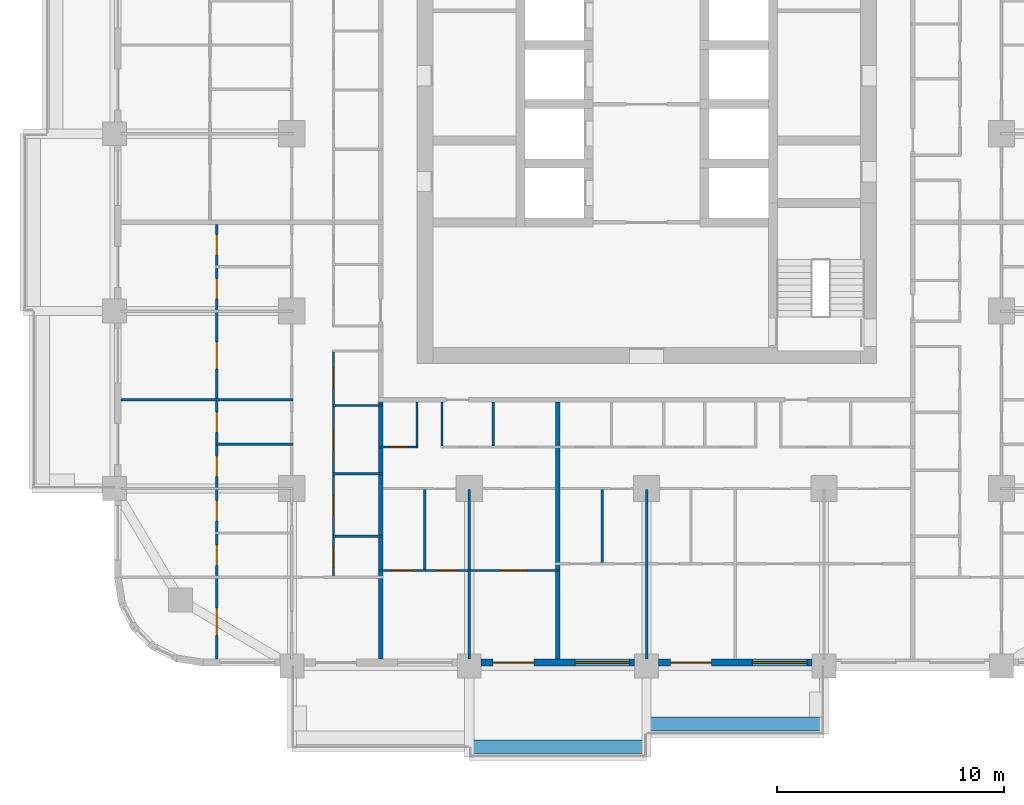
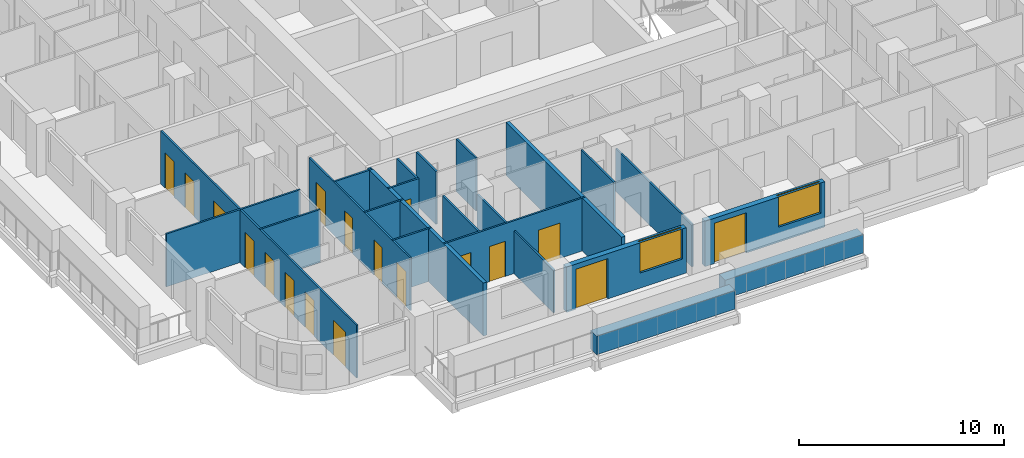
# One storey, part 3 of 17: 22 walls, 18 doors, 2 windows, 20 openings.
"""IFC4 building model written with IfcOpenShell, lengths in metres."""

from ifc_helpers import new_model, si_unit, direction, frame, frame_2d, origin, place, context, subcontext, project, spatial, rectangle, extrude, material, layer, layer_set, type_object, element, fill, save


model = new_model("IFC4")

# Units and contexts
model_context = context("Model", 3, precision=1e-05, world=origin(), true_north=direction((0.0, 1.0)))
body_context = subcontext(model_context, "Body", "Model", "MODEL_VIEW")
ifc_project = project(units=[si_unit("LENGTHUNIT", "METRE"), si_unit("AREAUNIT", "SQUARE_METRE"), si_unit("VOLUMEUNIT", "CUBIC_METRE"), si_unit("PLANEANGLEUNIT", "RADIAN"), si_unit("MASSUNIT", "GRAM", prefix="KILO")], contexts=[model_context])

# Site, building, storey
site_placement = place(None, origin())
site = spatial("IfcSite", under=ifc_project, at=site_placement, CompositionType="ELEMENT")
building_placement = place(site_placement, origin())
building = spatial("IfcBuilding", under=site, at=building_placement, Name="Ludao Terraces", CompositionType="ELEMENT")
storey_placement = place(building_placement, frame((0.0, 0.0, 54.60009765625)))
storey = spatial("IfcBuildingStorey", under=building, at=storey_placement, Name="L14", CompositionType="ELEMENT", Elevation=54.60009765625)

# Walls
ifc_material_1 = material(Name="Concrete C40", Category="concrete")
ifc_layer_1 = layer(ifc_material_1, 0.60009765625)
ifc_layer_set_1 = layer_set([ifc_layer_1], Name="ENV Planter trough 600")
wall_type_1 = type_object("IfcWallType", Name="ENV Planter trough 600", PredefinedType="USERDEFINED", material=ifc_layer_set_1)
for number, where, z_axis, x_axis, name in (
    (1, (77.199951171875, 38.050048828125, 0.0), (0.0, 0.0, 1.0), (1.0, 0.0, 0.0), "PL-L14-S2"),
    (2, (85.0, 39.050048828125, 0.0), (0.0, 0.0, 1.0), (1.0, 0.0, 0.0), "PL-L14-S3"),
):
    element("IfcWall", number, at=place(storey_placement, frame(where, z_axis=z_axis, x_axis=x_axis)), inside=storey, type_object=wall_type_1, Name=name, ObjectType="PLANTER", PredefinedType="USERDEFINED", context=body_context, shape_type="SweptSolid", body=[
        extrude(rectangle(XDim=7.800048828125, YDim=0.60009765625, at=frame_2d((3.89990234375, 0.0))), origin(), (0.0, 0.0, 1.0), 1.099853515625),
    ])

# Wall, openings, door, window
ifc_material_2 = material(Name="Granite cladding", Category="masonry")
ifc_layer_2 = layer(ifc_material_2, 0.0400390625, Category="stone")
ifc_material_3 = material(Name="Mineral wool")
ifc_layer_3 = layer(ifc_material_3, 0.06005859375)
ifc_layer_4 = layer(ifc_material_1, 0.199951171875, Category="concrete")
ifc_layer_set_2 = layer_set([ifc_layer_2, ifc_layer_3, ifc_layer_4], Name="ENV Stone-clad wall 300")
wall_type_2 = type_object("IfcWallType", Name="ENV Stone-clad wall 300", PredefinedType="SOLIDWALL", material=ifc_layer_set_2)
wall_1_placement = place(storey_placement, frame((77.72509765625, 41.75, 0.0), z_axis=(0.0, 0.0, 1.0), x_axis=(1.0, 0.0, 0.0)))
wall_1 = element("IfcWall", 3, at=wall_1_placement, inside=storey, type_object=wall_type_2, Name="EW-L14-S3", PredefinedType="SOLIDWALL", context=body_context, shape_type="SweptSolid", body=[
    extrude(rectangle(XDim=6.75, YDim=0.300048828125, at=frame_2d((3.375, 0.0))), origin(), (0.0, 0.0, 1.0), 2.699951171875),
])
opening_1_placement = place(wall_1_placement, frame((0.52490234375, 0.0, 0.0)))
opening_1 = element("IfcOpeningElement", 4, at=opening_1_placement, cuts=wall_1, Name="Opening BD", PredefinedType="OPENING", context=body_context, shape_type="SweptSolid", body=[
    extrude(rectangle(XDim=1.800048828125, YDim=2.39990234375, at=frame_2d((0.89990234375, 1.199951171875))), frame((0.0, 0.16015625, 0.0), z_axis=(0.0, -1.0, 0.0), x_axis=(1.0, 0.0, 0.0)), (0.0, 0.0, 1.0), 0.320068359375),
])
opening_2_placement = place(wall_1_placement, frame((4.125, 0.0, 0.89990234375)))
opening_2 = element("IfcOpeningElement", 5, at=opening_2_placement, cuts=wall_1, Name="Opening W1", PredefinedType="OPENING", context=body_context, shape_type="SweptSolid", body=[
    extrude(rectangle(XDim=2.39990234375, YDim=1.800048828125, at=frame_2d((1.199951171875, 0.89990234375))), frame((0.0, 0.16015625, 0.0), z_axis=(0.0, -1.0, 0.0), x_axis=(1.0, 0.0, 0.0)), (0.0, 0.0, 1.0), 0.320068359375),
])
ifc_material_4 = material(Name="Aluminium glazed door", Category="aluminium")
ifc_layer_5 = layer(ifc_material_4, 0.06005859375)
ifc_layer_set_3 = layer_set([ifc_layer_5], Name="ENV Balcony door BD 1800x2400")
door_type_1 = type_object("IfcDoorType", Name="ENV Balcony door BD 1800x2400", OperationType="DOUBLE_DOOR_SINGLE_SWING", PredefinedType="DOOR", material=ifc_layer_set_3)
door_1_placement = place(opening_1_placement, origin())
door_1 = element("IfcDoor", 6, at=door_1_placement, inside=storey, type_object=door_type_1, Name="BD-L14-S3-1", OperationType="DOUBLE_DOOR_SINGLE_SWING", OverallHeight=2.39990234375, OverallWidth=1.800048828125, PredefinedType="DOOR", context=body_context, shape_type="SweptSolid", body=[
    extrude(rectangle(XDim=1.800048828125, YDim=2.39990234375, at=frame_2d((0.89990234375, 1.199951171875))), frame((0.0, 0.02490234375, 0.0), z_axis=(0.0, -1.0, 0.0), x_axis=(1.0, 0.0, 0.0)), (0.0, 0.0, 1.0), 0.050048828125),
])
fill(opening_1, door_1)
ifc_material_5 = material(Name="Clear glass in aluminium frame", Category="aluminium")
ifc_layer_6 = layer(ifc_material_5, 0.06005859375)
ifc_layer_set_4 = layer_set([ifc_layer_6], Name="ENV Window W1 2400x1800")
window_type = type_object("IfcWindowType", Name="ENV Window W1 2400x1800", PartitioningType="DOUBLE_PANEL_VERTICAL", PredefinedType="WINDOW", material=ifc_layer_set_4)
window_1_placement = place(opening_2_placement, origin())
window_1 = element("IfcWindow", 7, at=window_1_placement, inside=storey, type_object=window_type, Name="W-L14-S3-2", OverallHeight=1.800048828125, OverallWidth=2.39990234375, PartitioningType="DOUBLE_PANEL_VERTICAL", PredefinedType="WINDOW", context=body_context, shape_type="SweptSolid", body=[
    extrude(rectangle(XDim=2.39990234375, YDim=1.800048828125, at=frame_2d((1.199951171875, 0.89990234375))), frame((0.0, 0.030029296875, 0.0), z_axis=(0.0, -1.0, 0.0), x_axis=(1.0, 0.0, 0.0)), (0.0, 0.0, 1.0), 0.06005859375),
])
fill(opening_2, window_1)

wall_2_placement = place(storey_placement, frame((85.52490234375, 41.75, 0.0), z_axis=(0.0, 0.0, 1.0), x_axis=(1.0, 0.0, 0.0)))
wall_2 = element("IfcWall", 8, at=wall_2_placement, inside=storey, type_object=wall_type_2, Name="EW-L14-S4", PredefinedType="SOLIDWALL", context=body_context, shape_type="SweptSolid", body=[
    extrude(rectangle(XDim=6.75, YDim=0.300048828125, at=frame_2d((3.375, 0.0))), origin(), (0.0, 0.0, 1.0), 2.699951171875),
])
opening_3_placement = place(wall_2_placement, frame((0.52490234375, 0.0, 0.0)))
opening_3 = element("IfcOpeningElement", 9, at=opening_3_placement, cuts=wall_2, Name="Opening BD", PredefinedType="OPENING", context=body_context, shape_type="SweptSolid", body=[
    extrude(rectangle(XDim=1.800048828125, YDim=2.39990234375, at=frame_2d((0.89990234375, 1.199951171875))), frame((0.0, 0.16015625, 0.0), z_axis=(0.0, -1.0, 0.0), x_axis=(1.0, 0.0, 0.0)), (0.0, 0.0, 1.0), 0.320068359375),
])
opening_4_placement = place(wall_2_placement, frame((4.125, 0.0, 0.89990234375)))
opening_4 = element("IfcOpeningElement", 10, at=opening_4_placement, cuts=wall_2, Name="Opening W1", PredefinedType="OPENING", context=body_context, shape_type="SweptSolid", body=[
    extrude(rectangle(XDim=2.39990234375, YDim=1.800048828125, at=frame_2d((1.199951171875, 0.89990234375))), frame((0.0, 0.16015625, 0.0), z_axis=(0.0, -1.0, 0.0), x_axis=(1.0, 0.0, 0.0)), (0.0, 0.0, 1.0), 0.320068359375),
])
door_2_placement = place(opening_3_placement, origin())
door_2 = element("IfcDoor", 11, at=door_2_placement, inside=storey, type_object=door_type_1, Name="BD-L14-S4-1", OperationType="DOUBLE_DOOR_SINGLE_SWING", OverallHeight=2.39990234375, OverallWidth=1.800048828125, PredefinedType="DOOR", context=body_context, shape_type="SweptSolid", body=[
    extrude(rectangle(XDim=1.800048828125, YDim=2.39990234375, at=frame_2d((0.89990234375, 1.199951171875))), frame((0.0, 0.02490234375, 0.0), z_axis=(0.0, -1.0, 0.0), x_axis=(1.0, 0.0, 0.0)), (0.0, 0.0, 1.0), 0.050048828125),
])
fill(opening_3, door_2)
window_2_placement = place(opening_4_placement, origin())
window_2 = element("IfcWindow", 12, at=window_2_placement, inside=storey, type_object=window_type, Name="W-L14-S4-2", OverallHeight=1.800048828125, OverallWidth=2.39990234375, PartitioningType="DOUBLE_PANEL_VERTICAL", PredefinedType="WINDOW", context=body_context, shape_type="SweptSolid", body=[
    extrude(rectangle(XDim=2.39990234375, YDim=1.800048828125, at=frame_2d((1.199951171875, 0.89990234375))), frame((0.0, 0.030029296875, 0.0), z_axis=(0.0, -1.0, 0.0), x_axis=(1.0, 0.0, 0.0)), (0.0, 0.0, 1.0), 0.06005859375),
])
fill(opening_4, window_2)

# Wall, openings, doors
ifc_material_6 = material(Name="Gypsum plasterboard", Category="gypsum")
ifc_layer_7 = layer(ifc_material_6, 0.012451171875, Category="gypsum")
ifc_layer_8 = layer(ifc_material_3, 0.06005859375, Name="insulation")
ifc_material_7 = material(Name="Steel Q235", Category="steel")
ifc_layer_9 = layer(ifc_material_7, 0.014892578125, Name="stud")
ifc_layer_10 = layer(ifc_material_6, 0.012451171875, Category="gypsum")
ifc_layer_set_5 = layer_set([ifc_layer_7, ifc_layer_8, ifc_layer_9, ifc_layer_10], Name="INT Partition 100")
wall_type_3 = type_object("IfcWallType", Name="INT Partition 100", PredefinedType="PARTITIONING", material=ifc_layer_set_5)
wall_3_placement = place(storey_placement, frame((73.2001953125, 45.800048828125, 0.0), z_axis=(0.0, 0.0, 1.0), x_axis=(1.0, 0.0, 0.0)))
wall_3 = element("IfcWall", 13, at=wall_3_placement, inside=storey, type_object=wall_type_3, Name="PW-L14-PW002", PredefinedType="PARTITIONING", context=body_context, shape_type="SweptSolid", body=[
    extrude(rectangle(XDim=8.0, YDim=0.10009765625, at=frame_2d((4.0, 0.0))), origin(), (0.0, 0.0, 1.0), 3.14990234375),
])
opening_5_placement = place(wall_3_placement, frame((0.625, 0.0, 0.0)))
opening_5 = element("IfcOpeningElement", 14, at=opening_5_placement, cuts=wall_3, Name="Opening R04-007", PredefinedType="OPENING", context=body_context, shape_type="SweptSolid", body=[
    extrude(rectangle(XDim=0.89990234375, YDim=2.10009765625, at=frame_2d((0.449951171875, 1.050048828125))), frame((0.0, 0.06005859375, 0.0), z_axis=(0.0, -1.0, 0.0), x_axis=(1.0, 0.0, 0.0)), (0.0, 0.0, 1.0), 0.1201171875),
])
opening_6_placement = place(wall_3_placement, frame((2.574951171875, 0.0, 0.0)))
opening_6 = element("IfcOpeningElement", 15, at=opening_6_placement, cuts=wall_3, Name="Opening R04-008", PredefinedType="OPENING", context=body_context, shape_type="SweptSolid", body=[
    extrude(rectangle(XDim=0.89990234375, YDim=2.10009765625, at=frame_2d((0.449951171875, 1.050048828125))), frame((0.0, 0.06005859375, 0.0), z_axis=(0.0, -1.0, 0.0), x_axis=(1.0, 0.0, 0.0)), (0.0, 0.0, 1.0), 0.1201171875),
])
opening_7_placement = place(wall_3_placement, frame((5.349853515625, 0.0, 0.0)))
opening_7 = element("IfcOpeningElement", 16, at=opening_7_placement, cuts=wall_3, Name="Opening R04-009", PredefinedType="OPENING", context=body_context, shape_type="SweptSolid", body=[
    extrude(rectangle(XDim=1.199951171875, YDim=2.10009765625, at=frame_2d((0.60009765625, 1.050048828125))), frame((0.0, 0.06005859375, 0.0), z_axis=(0.0, -1.0, 0.0), x_axis=(1.0, 0.0, 0.0)), (0.0, 0.0, 1.0), 0.1201171875),
])
ifc_material_8 = material(Name="Timber door leaf", Category="wood")
door_type_2 = type_object("IfcDoorType", Name="INT Bathroom door 900", OperationType="SINGLE_SWING_LEFT", PredefinedType="DOOR", material=ifc_material_8)
door_3_placement = place(opening_5_placement, origin())
door_3 = element("IfcDoor", 17, at=door_3_placement, inside=storey, type_object=door_type_2, Name="DOOR 007", OperationType="SINGLE_SWING_LEFT", OverallHeight=2.10009765625, OverallWidth=0.89990234375, PredefinedType="DOOR", context=body_context, shape_type="SweptSolid", body=[
    extrude(rectangle(XDim=0.89990234375, YDim=2.10009765625, at=frame_2d((0.449951171875, 1.050048828125))), frame((0.0, 0.02490234375, 0.0), z_axis=(0.0, -1.0, 0.0), x_axis=(1.0, 0.0, 0.0)), (0.0, 0.0, 1.0), 0.050048828125),
])
fill(opening_5, door_3)
door_type_3 = type_object("IfcDoorType", Name="INT Double door 1200", OperationType="DOUBLE_DOOR_SINGLE_SWING", PredefinedType="DOOR", material=ifc_material_8)
door_4_placement = place(opening_7_placement, origin())
door_4 = element("IfcDoor", 18, at=door_4_placement, inside=storey, type_object=door_type_3, Name="DOOR 009", OperationType="DOUBLE_DOOR_SINGLE_SWING", OverallHeight=2.10009765625, OverallWidth=1.199951171875, PredefinedType="DOOR", context=body_context, shape_type="SweptSolid", body=[
    extrude(rectangle(XDim=1.199951171875, YDim=2.10009765625, at=frame_2d((0.60009765625, 1.050048828125))), frame((0.0, 0.02490234375, 0.0), z_axis=(0.0, -1.0, 0.0), x_axis=(1.0, 0.0, 0.0)), (0.0, 0.0, 1.0), 0.050048828125),
])
fill(opening_7, door_4)
door_type_4 = type_object("IfcDoorType", Name="INT Room door 900", OperationType="SINGLE_SWING_LEFT", PredefinedType="DOOR", material=ifc_material_8)
door_5_placement = place(opening_6_placement, origin())
door_5 = element("IfcDoor", 19, at=door_5_placement, inside=storey, type_object=door_type_4, Name="DOOR 008", OperationType="SINGLE_SWING_RIGHT", OverallHeight=2.10009765625, OverallWidth=0.89990234375, PredefinedType="DOOR", context=body_context, shape_type="SweptSolid", body=[
    extrude(rectangle(XDim=0.89990234375, YDim=2.10009765625, at=frame_2d((0.449951171875, 1.050048828125))), frame((0.0, 0.02490234375, 0.0), z_axis=(0.0, -1.0, 0.0), x_axis=(1.0, 0.0, 0.0)), (0.0, 0.0, 1.0), 0.050048828125),
])
fill(opening_6, door_5)

# Walls
for number, where, z_axis, x_axis, name in (
    (20, (71.18017578125, 47.300048828125, 0.0), (0.0, 0.0, 1.0), (1.0, 0.0, 0.0), "PW-L14-PW004"),
    (21, (71.18017578125, 50.050048828125, 0.0), (0.0, 0.0, 1.0), (1.0, 0.0, 0.0), "PW-L14-PW011"),
):
    element("IfcWall", number, at=place(storey_placement, frame(where, z_axis=z_axis, x_axis=x_axis)), inside=storey, type_object=wall_type_3, Name=name, PredefinedType="PARTITIONING", context=body_context, shape_type="SweptSolid", body=[
        extrude(rectangle(XDim=2.219970703125, YDim=0.10009765625, at=frame_2d((1.10986328125, 0.0))), origin(), (0.0, 0.0, 1.0), 3.14990234375),
    ])

# Wall, opening, door
wall_4_placement = place(storey_placement, frame((73.2001953125, 51.22998046875, 0.0), z_axis=(0.0, 0.0, 1.0), x_axis=(1.0, 0.0, 0.0)))
wall_4 = element("IfcWall", 22, at=wall_4_placement, inside=storey, type_object=wall_type_3, Name="PW-L14-PW013", PredefinedType="PARTITIONING", context=body_context, shape_type="SweptSolid", body=[
    extrude(rectangle(XDim=1.75, YDim=0.10009765625, at=frame_2d((0.875, 0.0))), origin(), (0.0, 0.0, 1.0), 3.14990234375),
])
opening_8_placement = place(wall_4_placement, frame((0.5, 0.0, 0.0)))
opening_8 = element("IfcOpeningElement", 23, at=opening_8_placement, cuts=wall_4, Name="Opening R04-034", PredefinedType="OPENING", context=body_context, shape_type="SweptSolid", body=[
    extrude(rectangle(XDim=0.800048828125, YDim=2.10009765625, at=frame_2d((0.39990234375, 1.050048828125))), frame((0.0, 0.06005859375, 0.0), z_axis=(0.0, -1.0, 0.0), x_axis=(1.0, 0.0, 0.0)), (0.0, 0.0, 1.0), 0.1201171875),
])
door_type_5 = type_object("IfcDoorType", Name="INT Store door 800", OperationType="SINGLE_SWING_LEFT", PredefinedType="DOOR", material=ifc_material_8)
door_6_placement = place(opening_8_placement, origin())
door_6 = element("IfcDoor", 24, at=door_6_placement, inside=storey, type_object=door_type_5, Name="DOOR 034", OperationType="SINGLE_SWING_LEFT", OverallHeight=2.10009765625, OverallWidth=0.800048828125, PredefinedType="DOOR", context=body_context, shape_type="SweptSolid", body=[
    extrude(rectangle(XDim=0.800048828125, YDim=2.10009765625, at=frame_2d((0.39990234375, 1.050048828125))), frame((0.0, 0.02490234375, 0.0), z_axis=(0.0, -1.0, 0.0), x_axis=(1.0, 0.0, 0.0)), (0.0, 0.0, 1.0), 0.050048828125),
])
fill(opening_8, door_6)

# Walls
wall_5_placement = place(storey_placement, frame((66.050048828125, 51.35009765625, 0.0), z_axis=(0.0, 0.0, 1.0), x_axis=(1.0, 0.0, 0.0)))
element("IfcWall", 25, at=wall_5_placement, inside=storey, type_object=wall_type_3, Name="PW-L14-PW016", PredefinedType="PARTITIONING", context=body_context, shape_type="SweptSolid", body=[
    extrude(rectangle(XDim=3.400146484375, YDim=0.10009765625, at=frame_2d((1.7001953125, 0.0))), origin(), (0.0, 0.0, 1.0), 3.14990234375),
])
wall_6_placement = place(storey_placement, frame((71.18017578125, 53.050048828125, 0.0), z_axis=(0.0, 0.0, 1.0), x_axis=(1.0, 0.0, 0.0)))
element("IfcWall", 26, at=wall_6_placement, inside=storey, type_object=wall_type_3, Name="PW-L14-PW019", PredefinedType="PARTITIONING", context=body_context, shape_type="SweptSolid", body=[
    extrude(rectangle(XDim=2.219970703125, YDim=0.10009765625, at=frame_2d((1.10986328125, 0.0))), origin(), (0.0, 0.0, 1.0), 3.14990234375),
])
wall_7_placement = place(storey_placement, frame((61.900146484375, 53.300048828125, 0.0), z_axis=(0.0, 0.0, 1.0), x_axis=(1.0, 0.0, 0.0)))
element("IfcWall", 27, at=wall_7_placement, inside=storey, type_object=wall_type_3, Name="PW-L14-PW020", PredefinedType="PARTITIONING", context=body_context, shape_type="SweptSolid", body=[
    extrude(rectangle(XDim=7.550048828125, YDim=0.10009765625, at=frame_2d((3.77490234375, 0.0))), origin(), (0.0, 0.0, 1.0), 3.14990234375),
])

# Wall, openings, doors
wall_8_placement = place(storey_placement, frame((66.10009765625, 41.900146484375, 0.0), z_axis=(0.0, 0.0, 1.0), x_axis=(0.0, 1.0, 0.0)))
wall_8 = element("IfcWall", 28, at=wall_8_placement, inside=storey, type_object=wall_type_3, Name="PW-L14-PW082", PredefinedType="PARTITIONING", context=body_context, shape_type="SweptSolid", body=[
    extrude(rectangle(XDim=19.099853515625, YDim=0.10009765625, at=frame_2d((9.5498046875, 0.0))), origin(), (0.0, 0.0, 1.0), 3.14990234375),
])
opening_9_placement = place(wall_8_placement, frame((1.050048828125, 0.0, 0.0)))
opening_9 = element("IfcOpeningElement", 29, at=opening_9_placement, cuts=wall_8, Name="Opening R04-001", PredefinedType="OPENING", context=body_context, shape_type="SweptSolid", body=[
    extrude(rectangle(XDim=1.199951171875, YDim=2.10009765625, at=frame_2d((0.60009765625, 1.050048828125))), frame((0.0, 0.06005859375, 0.0), z_axis=(0.0, -1.0, 0.0), x_axis=(1.0, 0.0, 0.0)), (0.0, 0.0, 1.0), 0.1201171875),
])
opening_10_placement = place(wall_8_placement, frame((4.125, 0.0, 0.0)))
opening_10 = element("IfcOpeningElement", 30, at=opening_10_placement, cuts=wall_8, Name="Opening R04-018", PredefinedType="OPENING", context=body_context, shape_type="SweptSolid", body=[
    extrude(rectangle(XDim=0.89990234375, YDim=2.10009765625, at=frame_2d((0.449951171875, 1.050048828125))), frame((0.0, 0.06005859375, 0.0), z_axis=(0.0, -1.0, 0.0), x_axis=(1.0, 0.0, 0.0)), (0.0, 0.0, 1.0), 0.1201171875),
])
opening_11_placement = place(wall_8_placement, frame((6.074951171875, 0.0, 0.0)))
opening_11 = element("IfcOpeningElement", 31, at=opening_11_placement, cuts=wall_8, Name="Opening R04-022", PredefinedType="OPENING", context=body_context, shape_type="SweptSolid", body=[
    extrude(rectangle(XDim=0.89990234375, YDim=2.10009765625, at=frame_2d((0.449951171875, 1.050048828125))), frame((0.0, 0.06005859375, 0.0), z_axis=(0.0, -1.0, 0.0), x_axis=(1.0, 0.0, 0.0)), (0.0, 0.0, 1.0), 0.1201171875),
])
opening_12_placement = place(wall_8_placement, frame((8.02490234375, 0.0, 0.0)))
opening_12 = element("IfcOpeningElement", 32, at=opening_12_placement, cuts=wall_8, Name="Opening R04-032", PredefinedType="OPENING", context=body_context, shape_type="SweptSolid", body=[
    extrude(rectangle(XDim=0.89990234375, YDim=2.10009765625, at=frame_2d((0.449951171875, 1.050048828125))), frame((0.0, 0.06005859375, 0.0), z_axis=(0.0, -1.0, 0.0), x_axis=(1.0, 0.0, 0.0)), (0.0, 0.0, 1.0), 0.1201171875),
])
opening_13_placement = place(wall_8_placement, frame((9.97509765625, 0.0, 0.0)))
opening_13 = element("IfcOpeningElement", 33, at=opening_13_placement, cuts=wall_8, Name="Opening R04-045", PredefinedType="OPENING", context=body_context, shape_type="SweptSolid", body=[
    extrude(rectangle(XDim=0.89990234375, YDim=2.10009765625, at=frame_2d((0.449951171875, 1.050048828125))), frame((0.0, 0.06005859375, 0.0), z_axis=(0.0, -1.0, 0.0), x_axis=(1.0, 0.0, 0.0)), (0.0, 0.0, 1.0), 0.1201171875),
])
opening_14_placement = place(wall_8_placement, frame((12.75, 0.0, 0.0)))
opening_14 = element("IfcOpeningElement", 34, at=opening_14_placement, cuts=wall_8, Name="Opening R04-053", PredefinedType="OPENING", context=body_context, shape_type="SweptSolid", body=[
    extrude(rectangle(XDim=1.199951171875, YDim=2.10009765625, at=frame_2d((0.60009765625, 1.050048828125))), frame((0.0, 0.06005859375, 0.0), z_axis=(0.0, -1.0, 0.0), x_axis=(1.0, 0.0, 0.0)), (0.0, 0.0, 1.0), 0.1201171875),
])
opening_15_placement = place(wall_8_placement, frame((15.824951171875, 0.0, 0.0)))
opening_15 = element("IfcOpeningElement", 35, at=opening_15_placement, cuts=wall_8, Name="Opening R04-064", PredefinedType="OPENING", context=body_context, shape_type="SweptSolid", body=[
    extrude(rectangle(XDim=0.89990234375, YDim=2.10009765625, at=frame_2d((0.449951171875, 1.050048828125))), frame((0.0, 0.06005859375, 0.0), z_axis=(0.0, -1.0, 0.0), x_axis=(1.0, 0.0, 0.0)), (0.0, 0.0, 1.0), 0.1201171875),
])
opening_16_placement = place(wall_8_placement, frame((17.77490234375, 0.0, 0.0)))
opening_16 = element("IfcOpeningElement", 36, at=opening_16_placement, cuts=wall_8, Name="Opening R04-067", PredefinedType="OPENING", context=body_context, shape_type="SweptSolid", body=[
    extrude(rectangle(XDim=0.89990234375, YDim=2.10009765625, at=frame_2d((0.449951171875, 1.050048828125))), frame((0.0, 0.06005859375, 0.0), z_axis=(0.0, -1.0, 0.0), x_axis=(1.0, 0.0, 0.0)), (0.0, 0.0, 1.0), 0.1201171875),
])
door_7_placement = place(opening_10_placement, origin())
door_7 = element("IfcDoor", 37, at=door_7_placement, inside=storey, type_object=door_type_2, Name="DOOR 018", OperationType="SINGLE_SWING_RIGHT", OverallHeight=2.10009765625, OverallWidth=0.89990234375, PredefinedType="DOOR", context=body_context, shape_type="SweptSolid", body=[
    extrude(rectangle(XDim=0.89990234375, YDim=2.10009765625, at=frame_2d((0.449951171875, 1.050048828125))), frame((0.0, 0.02490234375, 0.0), z_axis=(0.0, -1.0, 0.0), x_axis=(1.0, 0.0, 0.0)), (0.0, 0.0, 1.0), 0.050048828125),
])
fill(opening_10, door_7)
door_8_placement = place(opening_12_placement, origin())
door_8 = element("IfcDoor", 38, at=door_8_placement, inside=storey, type_object=door_type_2, Name="DOOR 032", OperationType="SINGLE_SWING_RIGHT", OverallHeight=2.10009765625, OverallWidth=0.89990234375, PredefinedType="DOOR", context=body_context, shape_type="SweptSolid", body=[
    extrude(rectangle(XDim=0.89990234375, YDim=2.10009765625, at=frame_2d((0.449951171875, 1.050048828125))), frame((0.0, 0.02490234375, 0.0), z_axis=(0.0, -1.0, 0.0), x_axis=(1.0, 0.0, 0.0)), (0.0, 0.0, 1.0), 0.050048828125),
])
fill(opening_12, door_8)
door_9_placement = place(opening_15_placement, origin())
door_9 = element("IfcDoor", 39, at=door_9_placement, inside=storey, type_object=door_type_2, Name="DOOR 064", OperationType="SINGLE_SWING_LEFT", OverallHeight=2.10009765625, OverallWidth=0.89990234375, PredefinedType="DOOR", context=body_context, shape_type="SweptSolid", body=[
    extrude(rectangle(XDim=0.89990234375, YDim=2.10009765625, at=frame_2d((0.449951171875, 1.050048828125))), frame((0.0, 0.02490234375, 0.0), z_axis=(0.0, -1.0, 0.0), x_axis=(1.0, 0.0, 0.0)), (0.0, 0.0, 1.0), 0.050048828125),
])
fill(opening_15, door_9)
door_10_placement = place(opening_9_placement, origin())
door_10 = element("IfcDoor", 40, at=door_10_placement, inside=storey, type_object=door_type_3, Name="DOOR 001", OperationType="DOUBLE_DOOR_SINGLE_SWING", OverallHeight=2.10009765625, OverallWidth=1.199951171875, PredefinedType="DOOR", context=body_context, shape_type="SweptSolid", body=[
    extrude(rectangle(XDim=1.199951171875, YDim=2.10009765625, at=frame_2d((0.60009765625, 1.050048828125))), frame((0.0, 0.02490234375, 0.0), z_axis=(0.0, -1.0, 0.0), x_axis=(1.0, 0.0, 0.0)), (0.0, 0.0, 1.0), 0.050048828125),
])
fill(opening_9, door_10)
door_11_placement = place(opening_14_placement, origin())
door_11 = element("IfcDoor", 41, at=door_11_placement, inside=storey, type_object=door_type_3, Name="DOOR 053", OperationType="DOUBLE_DOOR_SINGLE_SWING", OverallHeight=2.10009765625, OverallWidth=1.199951171875, PredefinedType="DOOR", context=body_context, shape_type="SweptSolid", body=[
    extrude(rectangle(XDim=1.199951171875, YDim=2.10009765625, at=frame_2d((0.60009765625, 1.050048828125))), frame((0.0, 0.02490234375, 0.0), z_axis=(0.0, -1.0, 0.0), x_axis=(1.0, 0.0, 0.0)), (0.0, 0.0, 1.0), 0.050048828125),
])
fill(opening_14, door_11)
door_12_placement = place(opening_11_placement, origin())
door_12 = element("IfcDoor", 42, at=door_12_placement, inside=storey, type_object=door_type_4, Name="DOOR 022", OperationType="SINGLE_SWING_LEFT", OverallHeight=2.10009765625, OverallWidth=0.89990234375, PredefinedType="DOOR", context=body_context, shape_type="SweptSolid", body=[
    extrude(rectangle(XDim=0.89990234375, YDim=2.10009765625, at=frame_2d((0.449951171875, 1.050048828125))), frame((0.0, 0.02490234375, 0.0), z_axis=(0.0, -1.0, 0.0), x_axis=(1.0, 0.0, 0.0)), (0.0, 0.0, 1.0), 0.050048828125),
])
fill(opening_11, door_12)
door_13_placement = place(opening_13_placement, origin())
door_13 = element("IfcDoor", 43, at=door_13_placement, inside=storey, type_object=door_type_4, Name="DOOR 045", OperationType="SINGLE_SWING_RIGHT", OverallHeight=2.10009765625, OverallWidth=0.89990234375, PredefinedType="DOOR", context=body_context, shape_type="SweptSolid", body=[
    extrude(rectangle(XDim=0.89990234375, YDim=2.10009765625, at=frame_2d((0.449951171875, 1.050048828125))), frame((0.0, 0.02490234375, 0.0), z_axis=(0.0, -1.0, 0.0), x_axis=(1.0, 0.0, 0.0)), (0.0, 0.0, 1.0), 0.050048828125),
])
fill(opening_13, door_13)
door_14_placement = place(opening_16_placement, origin())
door_14 = element("IfcDoor", 44, at=door_14_placement, inside=storey, type_object=door_type_4, Name="DOOR 067", OperationType="SINGLE_SWING_LEFT", OverallHeight=2.10009765625, OverallWidth=0.89990234375, PredefinedType="DOOR", context=body_context, shape_type="SweptSolid", body=[
    extrude(rectangle(XDim=0.89990234375, YDim=2.10009765625, at=frame_2d((0.449951171875, 1.050048828125))), frame((0.0, 0.02490234375, 0.0), z_axis=(0.0, -1.0, 0.0), x_axis=(1.0, 0.0, 0.0)), (0.0, 0.0, 1.0), 0.050048828125),
])
fill(opening_16, door_14)

wall_9_placement = place(storey_placement, frame((71.22998046875, 45.550048828125, 0.0), z_axis=(0.0, 0.0, 1.0), x_axis=(0.0, 1.0, 0.0)))
wall_9 = element("IfcWall", 45, at=wall_9_placement, inside=storey, type_object=wall_type_3, Name="PW-L14-PW084", PredefinedType="PARTITIONING", context=body_context, shape_type="SweptSolid", body=[
    extrude(rectangle(XDim=9.85009765625, YDim=0.10009765625, at=frame_2d((4.925048828125, 0.0))), origin(), (0.0, 0.0, 1.0), 3.14990234375),
])
opening_17_placement = place(wall_9_placement, frame((0.39990234375, 0.0, 0.0)))
opening_17 = element("IfcOpeningElement", 46, at=opening_17_placement, cuts=wall_9, Name="Opening R04-016", PredefinedType="OPENING", context=body_context, shape_type="SweptSolid", body=[
    extrude(rectangle(XDim=0.89990234375, YDim=2.10009765625, at=frame_2d((0.449951171875, 1.050048828125))), frame((0.0, 0.06005859375, 0.0), z_axis=(0.0, -1.0, 0.0), x_axis=(1.0, 0.0, 0.0)), (0.0, 0.0, 1.0), 0.1201171875),
])
opening_18_placement = place(wall_9_placement, frame((2.72509765625, 0.0, 0.0)))
opening_18 = element("IfcOpeningElement", 47, at=opening_18_placement, cuts=wall_9, Name="Opening R04-024", PredefinedType="OPENING", context=body_context, shape_type="SweptSolid", body=[
    extrude(rectangle(XDim=0.800048828125, YDim=2.10009765625, at=frame_2d((0.39990234375, 1.050048828125))), frame((0.0, 0.06005859375, 0.0), z_axis=(0.0, -1.0, 0.0), x_axis=(1.0, 0.0, 0.0)), (0.0, 0.0, 1.0), 0.1201171875),
])
opening_19_placement = place(wall_9_placement, frame((5.60009765625, 0.0, 0.0)))
opening_19 = element("IfcOpeningElement", 48, at=opening_19_placement, cuts=wall_9, Name="Opening R04-044", PredefinedType="OPENING", context=body_context, shape_type="SweptSolid", body=[
    extrude(rectangle(XDim=0.800048828125, YDim=2.10009765625, at=frame_2d((0.39990234375, 1.050048828125))), frame((0.0, 0.06005859375, 0.0), z_axis=(0.0, -1.0, 0.0), x_axis=(1.0, 0.0, 0.0)), (0.0, 0.0, 1.0), 0.1201171875),
])
opening_20_placement = place(wall_9_placement, frame((8.25, 0.0, 0.0)))
opening_20 = element("IfcOpeningElement", 49, at=opening_20_placement, cuts=wall_9, Name="Opening R04-052", PredefinedType="OPENING", context=body_context, shape_type="SweptSolid", body=[
    extrude(rectangle(XDim=0.89990234375, YDim=2.10009765625, at=frame_2d((0.449951171875, 1.050048828125))), frame((0.0, 0.06005859375, 0.0), z_axis=(0.0, -1.0, 0.0), x_axis=(1.0, 0.0, 0.0)), (0.0, 0.0, 1.0), 0.1201171875),
])
door_15_placement = place(opening_17_placement, origin())
door_15 = element("IfcDoor", 50, at=door_15_placement, inside=storey, type_object=door_type_2, Name="DOOR 016", OperationType="SINGLE_SWING_RIGHT", OverallHeight=2.10009765625, OverallWidth=0.89990234375, PredefinedType="DOOR", context=body_context, shape_type="SweptSolid", body=[
    extrude(rectangle(XDim=0.89990234375, YDim=2.10009765625, at=frame_2d((0.449951171875, 1.050048828125))), frame((0.0, 0.02490234375, 0.0), z_axis=(0.0, -1.0, 0.0), x_axis=(1.0, 0.0, 0.0)), (0.0, 0.0, 1.0), 0.050048828125),
])
fill(opening_17, door_15)
door_16_placement = place(opening_20_placement, origin())
door_16 = element("IfcDoor", 51, at=door_16_placement, inside=storey, type_object=door_type_2, Name="DOOR 052", OperationType="SINGLE_SWING_RIGHT", OverallHeight=2.10009765625, OverallWidth=0.89990234375, PredefinedType="DOOR", context=body_context, shape_type="SweptSolid", body=[
    extrude(rectangle(XDim=0.89990234375, YDim=2.10009765625, at=frame_2d((0.449951171875, 1.050048828125))), frame((0.0, 0.02490234375, 0.0), z_axis=(0.0, -1.0, 0.0), x_axis=(1.0, 0.0, 0.0)), (0.0, 0.0, 1.0), 0.050048828125),
])
fill(opening_20, door_16)
door_17_placement = place(opening_18_placement, origin())
door_17 = element("IfcDoor", 52, at=door_17_placement, inside=storey, type_object=door_type_5, Name="DOOR 024", OperationType="SINGLE_SWING_RIGHT", OverallHeight=2.10009765625, OverallWidth=0.800048828125, PredefinedType="DOOR", context=body_context, shape_type="SweptSolid", body=[
    extrude(rectangle(XDim=0.800048828125, YDim=2.10009765625, at=frame_2d((0.39990234375, 1.050048828125))), frame((0.0, 0.02490234375, 0.0), z_axis=(0.0, -1.0, 0.0), x_axis=(1.0, 0.0, 0.0)), (0.0, 0.0, 1.0), 0.050048828125),
])
fill(opening_18, door_17)
door_18_placement = place(opening_19_placement, origin())
door_18 = element("IfcDoor", 53, at=door_18_placement, inside=storey, type_object=door_type_5, Name="DOOR 044", OperationType="SINGLE_SWING_LEFT", OverallHeight=2.10009765625, OverallWidth=0.800048828125, PredefinedType="DOOR", context=body_context, shape_type="SweptSolid", body=[
    extrude(rectangle(XDim=0.800048828125, YDim=2.10009765625, at=frame_2d((0.39990234375, 1.050048828125))), frame((0.0, 0.02490234375, 0.0), z_axis=(0.0, -1.0, 0.0), x_axis=(1.0, 0.0, 0.0)), (0.0, 0.0, 1.0), 0.050048828125),
])
fill(opening_19, door_18)

# Walls
wall_10_placement = place(storey_placement, frame((74.89990234375, 51.280029296875, 0.0), z_axis=(0.0, 0.0, 1.0), x_axis=(0.0, 1.0, 0.0)))
element("IfcWall", 54, at=wall_10_placement, inside=storey, type_object=wall_type_3, Name="PW-L14-PW091", PredefinedType="PARTITIONING", context=body_context, shape_type="SweptSolid", body=[
    extrude(rectangle(XDim=1.920166015625, YDim=0.10009765625, at=frame_2d((0.9599609375, 0.0))), origin(), (0.0, 0.0, 1.0), 3.14990234375),
])
wall_11_placement = place(storey_placement, frame((75.25, 45.85009765625, 0.0), z_axis=(0.0, 0.0, 1.0), x_axis=(0.0, 1.0, 0.0)))
element("IfcWall", 55, at=wall_11_placement, inside=storey, type_object=wall_type_3, Name="PW-L14-PW092", PredefinedType="PARTITIONING", context=body_context, shape_type="SweptSolid", body=[
    extrude(rectangle(XDim=3.5, YDim=0.10009765625, at=frame_2d((1.75, 0.0))), origin(), (0.0, 0.0, 1.0), 3.14990234375),
])
wall_12_placement = place(storey_placement, frame((76.0, 51.280029296875, 0.0), z_axis=(0.0, 0.0, 1.0), x_axis=(0.0, 1.0, 0.0)))
element("IfcWall", 56, at=wall_12_placement, inside=storey, type_object=wall_type_3, Name="PW-L14-PW093", PredefinedType="PARTITIONING", context=body_context, shape_type="SweptSolid", body=[
    extrude(rectangle(XDim=1.920166015625, YDim=0.10009765625, at=frame_2d((0.9599609375, 0.0))), origin(), (0.0, 0.0, 1.0), 3.14990234375),
])
wall_13_placement = place(storey_placement, frame((77.199951171875, 41.900146484375, 0.0), z_axis=(0.0, 0.0, 1.0), x_axis=(0.0, 1.0, 0.0)))
element("IfcWall", 57, at=wall_13_placement, inside=storey, type_object=wall_type_3, Name="PW-L14-PW094", PredefinedType="PARTITIONING", context=body_context, shape_type="SweptSolid", body=[
    extrude(rectangle(XDim=7.449951171875, YDim=0.10009765625, at=frame_2d((3.72509765625, 0.0))), origin(), (0.0, 0.0, 1.0), 2.5498046875),
])
wall_14_placement = place(storey_placement, frame((78.25, 51.280029296875, 0.0), z_axis=(0.0, 0.0, 1.0), x_axis=(0.0, 1.0, 0.0)))
element("IfcWall", 58, at=wall_14_placement, inside=storey, type_object=wall_type_3, Name="PW-L14-PW096", PredefinedType="PARTITIONING", context=body_context, shape_type="SweptSolid", body=[
    extrude(rectangle(XDim=1.920166015625, YDim=0.10009765625, at=frame_2d((0.9599609375, 0.0))), origin(), (0.0, 0.0, 1.0), 3.14990234375),
])
wall_15_placement = place(storey_placement, frame((83.050048828125, 46.150146484375, 0.0), z_axis=(0.0, 0.0, 1.0), x_axis=(0.0, 1.0, 0.0)))
element("IfcWall", 59, at=wall_15_placement, inside=storey, type_object=wall_type_3, Name="PW-L14-PW099", PredefinedType="PARTITIONING", context=body_context, shape_type="SweptSolid", body=[
    extrude(rectangle(XDim=3.199951171875, YDim=0.10009765625, at=frame_2d((1.60009765625, 0.0))), origin(), (0.0, 0.0, 1.0), 3.14990234375),
])
wall_16_placement = place(storey_placement, frame((85.0, 41.900146484375, 0.0), z_axis=(0.0, 0.0, 1.0), x_axis=(0.0, 1.0, 0.0)))
element("IfcWall", 60, at=wall_16_placement, inside=storey, type_object=wall_type_3, Name="PW-L14-PW101", PredefinedType="PARTITIONING", context=body_context, shape_type="SweptSolid", body=[
    extrude(rectangle(XDim=7.449951171875, YDim=0.10009765625, at=frame_2d((3.72509765625, 0.0))), origin(), (0.0, 0.0, 1.0), 2.5498046875),
])
ifc_material_9 = material(Name="Autoclaved aerated concrete block B06 A3.5", Category="concrete")
ifc_layer_11 = layer(ifc_material_9, 0.199951171875)
ifc_layer_set_6 = layer_set([ifc_layer_11], Name="INT Party wall 200")
wall_type_4 = type_object("IfcWallType", Name="INT Party wall 200", PredefinedType="PARTITIONING", material=ifc_layer_set_6)
for number, where, z_axis, x_axis, name in (
    (61, (73.300048828125, 41.900146484375, 0.0), (0.0, 0.0, 1.0), (0.0, 1.0, 0.0), "PW-L14-PW088"),
    (62, (81.10009765625, 41.900146484375, 0.0), (0.0, 0.0, 1.0), (0.0, 1.0, 0.0), "PW-L14-PW097"),
):
    element("IfcWall", number, at=place(storey_placement, frame(where, z_axis=z_axis, x_axis=x_axis)), inside=storey, type_object=wall_type_4, Name=name, PredefinedType="PARTITIONING", context=body_context, shape_type="SweptSolid", body=[
        extrude(rectangle(XDim=11.300048828125, YDim=0.199951171875, at=frame_2d((5.64990234375, 0.0))), origin(), (0.0, 0.0, 1.0), 3.14990234375),
    ])

save(model, "model.ifc")
